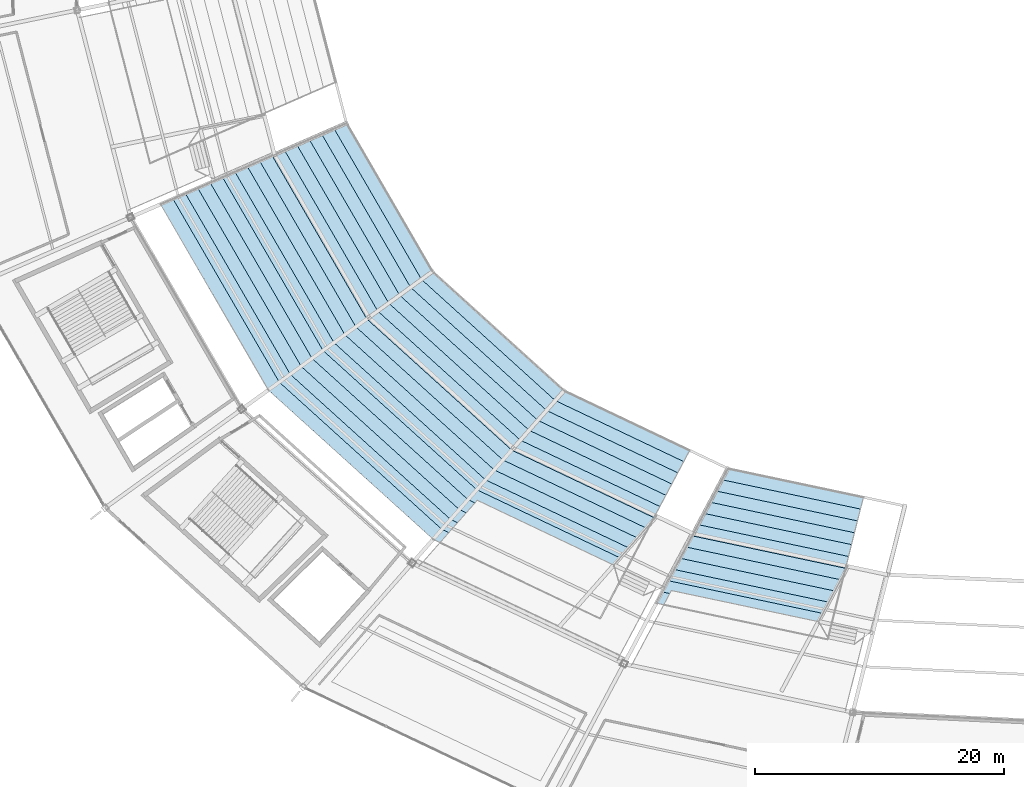
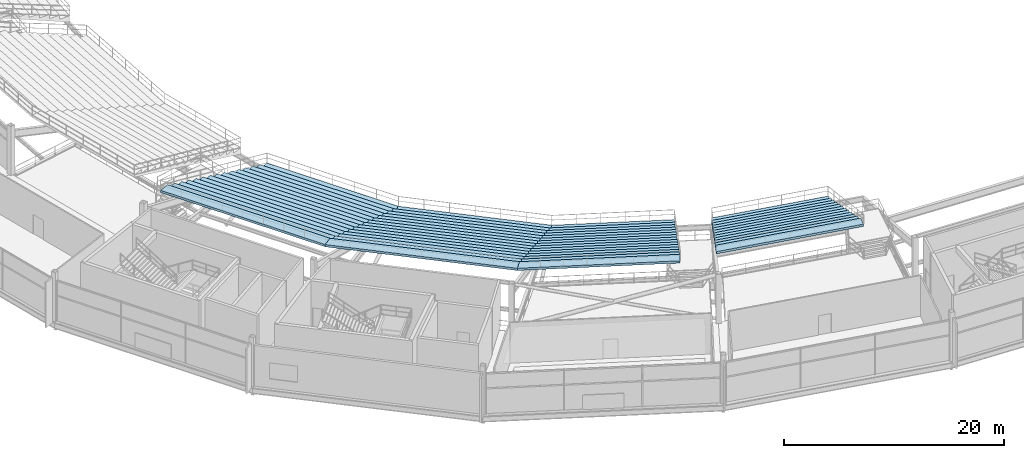
# One storey, part 133 of 186: 4 slabs.
"""IFC4 building model written with IfcOpenShell, lengths in metres."""

from ifc_helpers import new_model, si_unit, direction, frame, origin, place, context, subcontext, project, spatial, polygons, material, layer, layer_set, type_object, element, save


model = new_model("IFC4")

# Units and contexts
model_context = context("Model", 3, precision=1e-05, world=origin(), true_north=direction((0.0, 1.0)))
body_context = subcontext(model_context, "Body", "Model", "MODEL_VIEW")
ifc_project = project(units=[si_unit("LENGTHUNIT", "METRE"), si_unit("AREAUNIT", "SQUARE_METRE"), si_unit("VOLUMEUNIT", "CUBIC_METRE"), si_unit("PLANEANGLEUNIT", "RADIAN"), si_unit("MASSUNIT", "GRAM", prefix="KILO")], contexts=[model_context])

# Site, building, storey
site_placement = place(None, origin())
site = spatial("IfcSite", under=ifc_project, at=site_placement, CompositionType="ELEMENT")
building_placement = place(site_placement, origin())
building = spatial("IfcBuilding", under=site, at=building_placement, Name="Kazemori Nagisa Stadium", CompositionType="ELEMENT")
storey_placement = place(building_placement, frame((0.0, 0.0, 20.39990234375)))
storey = spatial("IfcBuildingStorey", under=building, at=storey_placement, Name="L04", CompositionType="ELEMENT", Elevation=20.39990234375)

# Slabs
ifc_material = material(Name="Concrete C36/45 (Fc36)", Category="concrete")
ifc_layer_1 = layer(ifc_material, 5.5400390625, Name="Concrete C36/45 (Fc36)", Category="concrete")
ifc_layer_set_1 = layer_set([ifc_layer_1], Name="Concrete C36/45 (Fc36)")
slab_type_1 = type_object("IfcSlabType", Name="SeatingTier_ST-UP-12S", PredefinedType="USERDEFINED", material=ifc_layer_set_1)
slab_1_placement = place(storey_placement, frame((0.0, 0.0, -20.39990234375)))
element("IfcSlab", 1, at=slab_1_placement, inside=storey, type_object=slab_type_1, Name="Stand upper tier bay 20", ObjectType="SEATING TIER", PredefinedType="USERDEFINED", context=body_context, shape_type="Tessellation", body=[
    polygons([(105.42431640625, 46.1875, 18.820068359375), (105.42431640625, 46.1875, 19.52001953125), (105.184326171875, 45.235595703125, 19.52001953125), (105.184326171875, 45.235595703125, 19.9599609375), (104.9443359375, 44.28369140625, 19.9599609375), (104.9443359375, 44.28369140625, 20.39990234375), (104.704345703125, 43.33203125, 20.39990234375), (104.704345703125, 43.33203125, 20.83984375), (104.46435546875, 42.380126953125, 20.83984375), (104.46435546875, 42.380126953125, 21.27978515625), (104.224365234375, 41.42822265625, 21.27978515625), (104.224365234375, 41.42822265625, 21.7197265625), (103.984375, 40.4765625, 21.7197265625), (103.984375, 40.4765625, 22.15966796875), (103.744384765625, 39.524658203125, 22.15966796875), (103.744384765625, 39.524658203125, 22.599609375), (103.50439453125, 38.57275390625, 22.599609375), (103.50439453125, 38.57275390625, 23.03955078125), (103.264404296875, 37.620849609375, 23.03955078125), (103.264404296875, 37.620849609375, 23.4794921875), (103.0244140625, 36.6689453125, 23.4794921875), (103.0244140625, 36.6689453125, 23.91943359375), (102.784423828125, 35.71728515625, 23.91943359375), (102.784423828125, 35.71728515625, 24.359375), (102.54443359375, 34.765380859375, 24.359375), (102.54443359375, 34.765380859375, 24.099365234375), (102.784423828125, 35.71728515625, 23.659423828125), (103.0244140625, 36.6689453125, 23.219482421875), (103.264404296875, 37.620849609375, 22.779541015625), (103.50439453125, 38.57275390625, 22.339599609375), (103.744384765625, 39.524658203125, 21.899658203125), (103.984375, 40.4765625, 21.459716796875), (104.224365234375, 41.42822265625, 21.019775390625), (104.46435546875, 42.380126953125, 20.579833984375), (104.704345703125, 43.33203125, 20.139892578125), (104.9443359375, 44.28369140625, 19.699951171875), (105.184326171875, 45.235595703125, 19.260009765625), (94.534912109375, 48.4912109375, 18.820068359375), (94.534912109375, 48.4912109375, 19.52001953125), (94.055419921875, 47.590087890625, 19.52001953125), (94.055419921875, 47.590087890625, 19.9599609375), (93.576171875, 46.688720703125, 19.9599609375), (93.576171875, 46.688720703125, 20.39990234375), (93.0966796875, 45.78759765625, 20.39990234375), (93.0966796875, 45.78759765625, 20.83984375), (92.6171875, 44.886474609375, 20.83984375), (92.6171875, 44.886474609375, 21.27978515625), (92.137939453125, 43.985107421875, 21.27978515625), (92.137939453125, 43.985107421875, 21.7197265625), (91.658447265625, 43.083984375, 21.7197265625), (91.658447265625, 43.083984375, 22.15966796875), (91.178955078125, 42.182861328125, 22.15966796875), (91.178955078125, 42.182861328125, 22.599609375), (90.69970703125, 41.281494140625, 22.599609375), (90.69970703125, 41.281494140625, 23.03955078125), (90.22021484375, 40.38037109375, 23.03955078125), (90.22021484375, 40.38037109375, 23.4794921875), (89.74072265625, 39.479248046875, 23.4794921875), (89.74072265625, 39.479248046875, 23.91943359375), (89.261474609375, 38.577880859375, 23.91943359375), (89.261474609375, 38.577880859375, 24.359375), (88.781982421875, 37.6767578125, 24.359375), (88.781982421875, 37.6767578125, 24.099365234375), (89.261474609375, 38.577880859375, 23.659423828125), (89.74072265625, 39.479248046875, 23.219482421875), (90.22021484375, 40.38037109375, 22.779541015625), (90.69970703125, 41.281494140625, 22.339599609375), (91.178955078125, 42.182861328125, 21.899658203125), (91.658447265625, 43.083984375, 21.459716796875), (92.137939453125, 43.985107421875, 21.019775390625), (92.6171875, 44.886474609375, 20.579833984375), (93.0966796875, 45.78759765625, 20.139892578125), (93.576171875, 46.688720703125, 19.699951171875), (94.055419921875, 47.590087890625, 19.260009765625)], [[[1, 38, 39]], [[1, 39, 2]], [[2, 39, 40]], [[2, 40, 3]], [[3, 40, 41]], [[3, 41, 4]], [[4, 41, 42]], [[4, 42, 5]], [[5, 42, 43]], [[5, 43, 6]], [[6, 43, 44]], [[6, 44, 7]], [[7, 44, 45]], [[7, 45, 8]], [[8, 45, 46]], [[8, 46, 9]], [[9, 46, 47]], [[9, 47, 10]], [[10, 47, 48]], [[10, 48, 11]], [[11, 48, 49]], [[11, 49, 12]], [[12, 49, 50]], [[12, 50, 13]], [[13, 50, 51]], [[13, 51, 14]], [[14, 51, 52]], [[14, 52, 15]], [[15, 52, 53]], [[15, 53, 16]], [[16, 53, 54]], [[16, 54, 17]], [[17, 54, 55]], [[17, 55, 18]], [[18, 55, 56]], [[18, 56, 19]], [[19, 56, 57]], [[19, 57, 20]], [[20, 57, 58]], [[20, 58, 21]], [[21, 58, 59]], [[21, 59, 22]], [[22, 59, 60]], [[22, 60, 23]], [[23, 60, 61]], [[23, 61, 24]], [[24, 61, 62]], [[24, 62, 25]], [[25, 62, 63]], [[25, 63, 26]], [[26, 63, 27]], [[27, 63, 64]], [[27, 64, 28]], [[28, 64, 65]], [[28, 65, 29]], [[29, 65, 66]], [[29, 66, 30]], [[30, 66, 67]], [[30, 67, 31]], [[31, 67, 68]], [[31, 68, 32]], [[32, 68, 69]], [[32, 69, 33]], [[33, 69, 70]], [[33, 70, 34]], [[34, 70, 71]], [[34, 71, 35]], [[35, 71, 72]], [[35, 72, 36]], [[36, 72, 73]], [[36, 73, 37]], [[37, 73, 74]], [[37, 74, 1]], [[1, 74, 38]], [[1, 2, 3]], [[40, 39, 38]], [[1, 3, 37]], [[74, 40, 38]], [[37, 3, 36]], [[73, 40, 74]], [[36, 3, 5]], [[42, 40, 73]], [[3, 4, 5]], [[42, 41, 40]], [[36, 5, 35]], [[72, 42, 73]], [[35, 5, 7]], [[44, 42, 72]], [[5, 6, 7]], [[44, 43, 42]], [[35, 7, 34]], [[71, 44, 72]], [[34, 7, 9]], [[46, 44, 71]], [[7, 8, 9]], [[46, 45, 44]], [[34, 9, 33]], [[70, 46, 71]], [[33, 9, 11]], [[48, 46, 70]], [[9, 10, 11]], [[48, 47, 46]], [[33, 11, 32]], [[69, 48, 70]], [[32, 11, 13]], [[50, 48, 69]], [[11, 12, 13]], [[50, 49, 48]], [[32, 13, 31]], [[68, 50, 69]], [[31, 13, 15]], [[52, 50, 68]], [[13, 14, 15]], [[52, 51, 50]], [[31, 15, 30]], [[67, 52, 68]], [[30, 15, 17]], [[54, 52, 67]], [[15, 16, 17]], [[54, 53, 52]], [[30, 17, 29]], [[66, 54, 67]], [[29, 17, 19]], [[56, 54, 66]], [[17, 18, 19]], [[56, 55, 54]], [[29, 19, 28]], [[65, 56, 66]], [[28, 19, 21]], [[58, 56, 65]], [[19, 20, 21]], [[58, 57, 56]], [[28, 21, 27]], [[64, 58, 65]], [[27, 21, 23]], [[60, 58, 64]], [[21, 22, 23]], [[60, 59, 58]], [[27, 23, 26]], [[63, 60, 64]], [[26, 23, 25]], [[62, 60, 63]], [[23, 24, 25]], [[62, 61, 60]]], closed=True),
])
ifc_layer_2 = layer(ifc_material, 6.860107421875, Name="Concrete C36/45 (Fc36)", Category="concrete")
ifc_layer_set_2 = layer_set([ifc_layer_2], Name="Concrete C36/45 (Fc36)")
slab_type_2 = type_object("IfcSlabType", Name="SeatingTier_ST-UP-15W", PredefinedType="USERDEFINED", material=ifc_layer_set_2)
slab_2_placement = place(storey_placement, frame((0.0, 0.0, -20.39990234375)))
element("IfcSlab", 2, at=slab_2_placement, inside=storey, type_object=slab_type_2, Name="Stand upper tier bay 17", ObjectType="SEATING TIER", PredefinedType="USERDEFINED", context=body_context, shape_type="Tessellation", body=[
    polygons([(70.800537109375, 64.31591796875, 18.820068359375), (70.800537109375, 64.31591796875, 19.52001953125), (69.92138671875, 63.68115234375, 19.52001953125), (69.92138671875, 63.68115234375, 19.9599609375), (69.042236328125, 63.046630859375, 19.9599609375), (69.042236328125, 63.046630859375, 20.39990234375), (68.1630859375, 62.411865234375, 20.39990234375), (68.1630859375, 62.411865234375, 20.83984375), (67.283935546875, 61.77734375, 20.83984375), (67.283935546875, 61.77734375, 21.27978515625), (66.40478515625, 61.142578125, 21.27978515625), (66.40478515625, 61.142578125, 21.7197265625), (65.525634765625, 60.5078125, 21.7197265625), (65.525634765625, 60.5078125, 22.15966796875), (64.646484375, 59.873291015625, 22.15966796875), (64.646484375, 59.873291015625, 22.599609375), (63.767333984375, 59.238525390625, 22.599609375), (63.767333984375, 59.238525390625, 23.03955078125), (62.88818359375, 58.60400390625, 23.03955078125), (62.88818359375, 58.60400390625, 23.4794921875), (62.009033203125, 57.96923828125, 23.4794921875), (62.009033203125, 57.96923828125, 23.91943359375), (61.1298828125, 57.33447265625, 23.91943359375), (61.1298828125, 57.33447265625, 24.359375), (60.250732421875, 56.699951171875, 24.359375), (60.250732421875, 56.699951171875, 24.79931640625), (59.37158203125, 56.065185546875, 24.79931640625), (59.37158203125, 56.065185546875, 25.2392578125), (58.492431640625, 55.4306640625, 25.2392578125), (58.492431640625, 55.4306640625, 25.67919921875), (57.61328125, 54.7958984375, 25.67919921875), (57.61328125, 54.7958984375, 25.419189453125), (58.492431640625, 55.4306640625, 24.979248046875), (59.37158203125, 56.065185546875, 24.539306640625), (60.250732421875, 56.699951171875, 24.099365234375), (61.1298828125, 57.33447265625, 23.659423828125), (62.009033203125, 57.96923828125, 23.219482421875), (62.88818359375, 58.60400390625, 22.779541015625), (63.767333984375, 59.238525390625, 22.339599609375), (64.646484375, 59.873291015625, 21.899658203125), (65.525634765625, 60.5078125, 21.459716796875), (66.40478515625, 61.142578125, 21.019775390625), (67.283935546875, 61.77734375, 20.579833984375), (68.1630859375, 62.411865234375, 20.139892578125), (69.042236328125, 63.046630859375, 19.699951171875), (69.92138671875, 63.68115234375, 19.260009765625), (63.8916015625, 76.2314453125, 18.820068359375), (63.8916015625, 76.2314453125, 19.52001953125), (62.89599609375, 75.79736328125, 19.52001953125), (62.89599609375, 75.79736328125, 19.9599609375), (61.900634765625, 75.363525390625, 19.9599609375), (61.900634765625, 75.363525390625, 20.39990234375), (60.905029296875, 74.929443359375, 20.39990234375), (60.905029296875, 74.929443359375, 20.83984375), (59.909423828125, 74.49560546875, 20.83984375), (59.909423828125, 74.49560546875, 21.27978515625), (58.9140625, 74.0615234375, 21.27978515625), (58.9140625, 74.0615234375, 21.7197265625), (57.91845703125, 73.62744140625, 21.7197265625), (57.91845703125, 73.62744140625, 22.15966796875), (56.9228515625, 73.193603515625, 22.15966796875), (56.9228515625, 73.193603515625, 22.599609375), (55.927490234375, 72.759521484375, 22.599609375), (55.927490234375, 72.759521484375, 23.03955078125), (54.931884765625, 72.32568359375, 23.03955078125), (54.931884765625, 72.32568359375, 23.4794921875), (53.936279296875, 71.8916015625, 23.4794921875), (53.936279296875, 71.8916015625, 23.91943359375), (52.94091796875, 71.45751953125, 23.91943359375), (52.94091796875, 71.45751953125, 24.359375), (51.9453125, 71.023681640625, 24.359375), (51.9453125, 71.023681640625, 24.79931640625), (50.94970703125, 70.589599609375, 24.79931640625), (50.94970703125, 70.589599609375, 25.2392578125), (49.954345703125, 70.15576171875, 25.2392578125), (49.954345703125, 70.15576171875, 25.67919921875), (48.958740234375, 69.7216796875, 25.67919921875), (48.958740234375, 69.7216796875, 25.419189453125), (49.954345703125, 70.15576171875, 24.979248046875), (50.94970703125, 70.589599609375, 24.539306640625), (51.9453125, 71.023681640625, 24.099365234375), (52.94091796875, 71.45751953125, 23.659423828125), (53.936279296875, 71.8916015625, 23.219482421875), (54.931884765625, 72.32568359375, 22.779541015625), (55.927490234375, 72.759521484375, 22.339599609375), (56.9228515625, 73.193603515625, 21.899658203125), (57.91845703125, 73.62744140625, 21.459716796875), (58.9140625, 74.0615234375, 21.019775390625), (59.909423828125, 74.49560546875, 20.579833984375), (60.905029296875, 74.929443359375, 20.139892578125), (61.900634765625, 75.363525390625, 19.699951171875), (62.89599609375, 75.79736328125, 19.260009765625)], [[[1, 47, 48]], [[1, 48, 2]], [[2, 48, 49]], [[2, 49, 3]], [[3, 49, 50]], [[3, 50, 4]], [[4, 50, 51]], [[4, 51, 5]], [[5, 51, 52]], [[5, 52, 6]], [[6, 52, 53]], [[6, 53, 7]], [[7, 53, 54]], [[7, 54, 8]], [[8, 54, 55]], [[8, 55, 9]], [[9, 55, 56]], [[9, 56, 10]], [[10, 56, 57]], [[10, 57, 11]], [[11, 57, 58]], [[11, 58, 12]], [[12, 58, 59]], [[12, 59, 13]], [[13, 59, 60]], [[13, 60, 14]], [[14, 60, 61]], [[14, 61, 15]], [[15, 61, 62]], [[15, 62, 16]], [[16, 62, 63]], [[16, 63, 17]], [[17, 63, 64]], [[17, 64, 18]], [[18, 64, 65]], [[18, 65, 19]], [[19, 65, 66]], [[19, 66, 20]], [[20, 66, 67]], [[20, 67, 21]], [[21, 67, 68]], [[21, 68, 22]], [[22, 68, 69]], [[22, 69, 23]], [[23, 69, 70]], [[23, 70, 24]], [[24, 70, 71]], [[24, 71, 25]], [[25, 71, 72]], [[25, 72, 26]], [[26, 72, 73]], [[26, 73, 27]], [[27, 73, 74]], [[27, 74, 28]], [[28, 74, 75]], [[28, 75, 29]], [[29, 75, 76]], [[29, 76, 30]], [[30, 76, 77]], [[30, 77, 31]], [[31, 77, 78]], [[31, 78, 32]], [[32, 78, 33]], [[33, 78, 79]], [[33, 79, 34]], [[34, 79, 80]], [[34, 80, 35]], [[35, 80, 81]], [[35, 81, 36]], [[36, 81, 82]], [[36, 82, 37]], [[37, 82, 83]], [[37, 83, 38]], [[38, 83, 84]], [[38, 84, 39]], [[39, 84, 85]], [[39, 85, 40]], [[40, 85, 86]], [[40, 86, 41]], [[41, 86, 87]], [[41, 87, 42]], [[42, 87, 88]], [[42, 88, 43]], [[43, 88, 89]], [[43, 89, 44]], [[44, 89, 90]], [[44, 90, 45]], [[45, 90, 91]], [[45, 91, 46]], [[46, 91, 92]], [[46, 92, 1]], [[1, 92, 47]], [[1, 2, 3]], [[49, 48, 47]], [[1, 3, 46]], [[92, 49, 47]], [[46, 3, 45]], [[91, 49, 92]], [[45, 3, 5]], [[51, 49, 91]], [[3, 4, 5]], [[51, 50, 49]], [[45, 5, 44]], [[90, 51, 91]], [[44, 5, 7]], [[53, 51, 90]], [[5, 6, 7]], [[53, 52, 51]], [[44, 7, 43]], [[89, 53, 90]], [[43, 7, 9]], [[55, 53, 89]], [[7, 8, 9]], [[55, 54, 53]], [[43, 9, 42]], [[88, 55, 89]], [[42, 9, 11]], [[57, 55, 88]], [[9, 10, 11]], [[57, 56, 55]], [[42, 11, 41]], [[87, 57, 88]], [[41, 11, 13]], [[59, 57, 87]], [[11, 12, 13]], [[59, 58, 57]], [[41, 13, 40]], [[86, 59, 87]], [[40, 13, 15]], [[61, 59, 86]], [[13, 14, 15]], [[61, 60, 59]], [[40, 15, 39]], [[85, 61, 86]], [[39, 15, 17]], [[63, 61, 85]], [[15, 16, 17]], [[63, 62, 61]], [[39, 17, 38]], [[84, 63, 85]], [[38, 17, 19]], [[65, 63, 84]], [[17, 18, 19]], [[65, 64, 63]], [[38, 19, 37]], [[83, 65, 84]], [[37, 19, 21]], [[67, 65, 83]], [[19, 20, 21]], [[67, 66, 65]], [[37, 21, 36]], [[82, 67, 83]], [[36, 21, 23]], [[69, 67, 82]], [[21, 22, 23]], [[69, 68, 67]], [[36, 23, 35]], [[81, 69, 82]], [[35, 23, 25]], [[71, 69, 81]], [[23, 24, 25]], [[71, 70, 69]], [[35, 25, 34]], [[80, 71, 81]], [[34, 25, 27]], [[73, 71, 80]], [[25, 26, 27]], [[73, 72, 71]], [[34, 27, 33]], [[79, 73, 80]], [[33, 27, 29]], [[75, 73, 79]], [[27, 28, 29]], [[75, 74, 73]], [[33, 29, 32]], [[78, 75, 79]], [[32, 29, 31]], [[77, 75, 78]], [[29, 30, 31]], [[77, 76, 75]]], closed=True),
])
slab_3_placement = place(storey_placement, frame((0.0, 0.0, -20.39990234375)))
element("IfcSlab", 3, at=slab_3_placement, inside=storey, type_object=slab_type_2, Name="Stand upper tier bay 18", ObjectType="SEATING TIER", PredefinedType="USERDEFINED", context=body_context, shape_type="Tessellation", body=[
    polygons([(81.372314453125, 54.745849609375, 18.820068359375), (81.372314453125, 54.745849609375, 19.52001953125), (80.671142578125, 53.949951171875, 19.52001953125), (80.671142578125, 53.949951171875, 19.9599609375), (79.97021484375, 53.154052734375, 19.9599609375), (79.97021484375, 53.154052734375, 20.39990234375), (79.26904296875, 52.358154296875, 20.39990234375), (79.26904296875, 52.358154296875, 20.83984375), (78.56787109375, 51.5625, 20.83984375), (78.56787109375, 51.5625, 21.27978515625), (77.866943359375, 50.7666015625, 21.27978515625), (77.866943359375, 50.7666015625, 21.7197265625), (77.165771484375, 49.970703125, 21.7197265625), (77.165771484375, 49.970703125, 22.15966796875), (76.464599609375, 49.1748046875, 22.15966796875), (76.464599609375, 49.1748046875, 22.599609375), (75.763671875, 48.37890625, 22.599609375), (75.763671875, 48.37890625, 23.03955078125), (75.0625, 47.5830078125, 23.03955078125), (75.0625, 47.5830078125, 23.4794921875), (74.361328125, 46.787109375, 23.4794921875), (74.361328125, 46.787109375, 23.91943359375), (73.660400390625, 45.9912109375, 23.91943359375), (73.660400390625, 45.9912109375, 24.359375), (72.959228515625, 45.195556640625, 24.359375), (72.959228515625, 45.195556640625, 24.79931640625), (72.258056640625, 44.399658203125, 24.79931640625), (72.258056640625, 44.399658203125, 25.2392578125), (71.55712890625, 43.603759765625, 25.2392578125), (71.55712890625, 43.603759765625, 25.67919921875), (70.85595703125, 42.807861328125, 25.67919921875), (70.85595703125, 42.807861328125, 25.419189453125), (71.55712890625, 43.603759765625, 24.979248046875), (72.258056640625, 44.399658203125, 24.539306640625), (72.959228515625, 45.195556640625, 24.099365234375), (73.660400390625, 45.9912109375, 23.659423828125), (74.361328125, 46.787109375, 23.219482421875), (75.0625, 47.5830078125, 22.779541015625), (75.763671875, 48.37890625, 22.339599609375), (76.464599609375, 49.1748046875, 21.899658203125), (77.165771484375, 49.970703125, 21.459716796875), (77.866943359375, 50.7666015625, 21.019775390625), (78.56787109375, 51.5625, 20.579833984375), (79.26904296875, 52.358154296875, 20.139892578125), (79.97021484375, 53.154052734375, 19.699951171875), (80.671142578125, 53.949951171875, 19.260009765625), (70.800537109375, 64.31591796875, 18.820068359375), (70.800537109375, 64.31591796875, 19.52001953125), (69.92138671875, 63.68115234375, 19.52001953125), (69.92138671875, 63.68115234375, 19.9599609375), (69.042236328125, 63.046630859375, 19.9599609375), (69.042236328125, 63.046630859375, 20.39990234375), (68.1630859375, 62.411865234375, 20.39990234375), (68.1630859375, 62.411865234375, 20.83984375), (67.283935546875, 61.77734375, 20.83984375), (67.283935546875, 61.77734375, 21.27978515625), (66.40478515625, 61.142578125, 21.27978515625), (66.40478515625, 61.142578125, 21.7197265625), (65.525634765625, 60.5078125, 21.7197265625), (65.525634765625, 60.5078125, 22.15966796875), (64.646484375, 59.873291015625, 22.15966796875), (64.646484375, 59.873291015625, 22.599609375), (63.767333984375, 59.238525390625, 22.599609375), (63.767333984375, 59.238525390625, 23.03955078125), (62.88818359375, 58.60400390625, 23.03955078125), (62.88818359375, 58.60400390625, 23.4794921875), (62.009033203125, 57.96923828125, 23.4794921875), (62.009033203125, 57.96923828125, 23.91943359375), (61.1298828125, 57.33447265625, 23.91943359375), (61.1298828125, 57.33447265625, 24.359375), (60.250732421875, 56.699951171875, 24.359375), (60.250732421875, 56.699951171875, 24.79931640625), (59.37158203125, 56.065185546875, 24.79931640625), (59.37158203125, 56.065185546875, 25.2392578125), (58.492431640625, 55.4306640625, 25.2392578125), (58.492431640625, 55.4306640625, 25.67919921875), (57.61328125, 54.7958984375, 25.67919921875), (57.61328125, 54.7958984375, 25.419189453125), (58.492431640625, 55.4306640625, 24.979248046875), (59.37158203125, 56.065185546875, 24.539306640625), (60.250732421875, 56.699951171875, 24.099365234375), (61.1298828125, 57.33447265625, 23.659423828125), (62.009033203125, 57.96923828125, 23.219482421875), (62.88818359375, 58.60400390625, 22.779541015625), (63.767333984375, 59.238525390625, 22.339599609375), (64.646484375, 59.873291015625, 21.899658203125), (65.525634765625, 60.5078125, 21.459716796875), (66.40478515625, 61.142578125, 21.019775390625), (67.283935546875, 61.77734375, 20.579833984375), (68.1630859375, 62.411865234375, 20.139892578125), (69.042236328125, 63.046630859375, 19.699951171875), (69.92138671875, 63.68115234375, 19.260009765625)], [[[1, 47, 48]], [[1, 48, 2]], [[2, 48, 49]], [[2, 49, 3]], [[3, 49, 50]], [[3, 50, 4]], [[4, 50, 51]], [[4, 51, 5]], [[5, 51, 52]], [[5, 52, 6]], [[6, 52, 53]], [[6, 53, 7]], [[7, 53, 54]], [[7, 54, 8]], [[8, 54, 55]], [[8, 55, 9]], [[9, 55, 56]], [[9, 56, 10]], [[10, 56, 57]], [[10, 57, 11]], [[11, 57, 58]], [[11, 58, 12]], [[12, 58, 59]], [[12, 59, 13]], [[13, 59, 60]], [[13, 60, 14]], [[14, 60, 61]], [[14, 61, 15]], [[15, 61, 62]], [[15, 62, 16]], [[16, 62, 63]], [[16, 63, 17]], [[17, 63, 64]], [[17, 64, 18]], [[18, 64, 65]], [[18, 65, 19]], [[19, 65, 66]], [[19, 66, 20]], [[20, 66, 67]], [[20, 67, 21]], [[21, 67, 68]], [[21, 68, 22]], [[22, 68, 69]], [[22, 69, 23]], [[23, 69, 70]], [[23, 70, 24]], [[24, 70, 71]], [[24, 71, 25]], [[25, 71, 72]], [[25, 72, 26]], [[26, 72, 73]], [[26, 73, 27]], [[27, 73, 74]], [[27, 74, 28]], [[28, 74, 75]], [[28, 75, 29]], [[29, 75, 76]], [[29, 76, 30]], [[30, 76, 77]], [[30, 77, 31]], [[31, 77, 78]], [[31, 78, 32]], [[32, 78, 33]], [[33, 78, 79]], [[33, 79, 34]], [[34, 79, 80]], [[34, 80, 35]], [[35, 80, 81]], [[35, 81, 36]], [[36, 81, 82]], [[36, 82, 37]], [[37, 82, 83]], [[37, 83, 38]], [[38, 83, 84]], [[38, 84, 39]], [[39, 84, 85]], [[39, 85, 40]], [[40, 85, 86]], [[40, 86, 41]], [[41, 86, 87]], [[41, 87, 42]], [[42, 87, 88]], [[42, 88, 43]], [[43, 88, 89]], [[43, 89, 44]], [[44, 89, 90]], [[44, 90, 45]], [[45, 90, 91]], [[45, 91, 46]], [[46, 91, 92]], [[46, 92, 1]], [[1, 92, 47]], [[1, 2, 3]], [[49, 48, 47]], [[1, 3, 46]], [[92, 49, 47]], [[46, 3, 45]], [[91, 49, 92]], [[45, 3, 5]], [[51, 49, 91]], [[3, 4, 5]], [[51, 50, 49]], [[45, 5, 44]], [[90, 51, 91]], [[44, 5, 7]], [[53, 51, 90]], [[5, 6, 7]], [[53, 52, 51]], [[44, 7, 43]], [[89, 53, 90]], [[43, 7, 9]], [[55, 53, 89]], [[7, 8, 9]], [[55, 54, 53]], [[43, 9, 42]], [[88, 55, 89]], [[42, 9, 11]], [[57, 55, 88]], [[9, 10, 11]], [[57, 56, 55]], [[42, 11, 41]], [[87, 57, 88]], [[41, 11, 13]], [[59, 57, 87]], [[11, 12, 13]], [[59, 58, 57]], [[41, 13, 40]], [[86, 59, 87]], [[40, 13, 15]], [[61, 59, 86]], [[13, 14, 15]], [[61, 60, 59]], [[40, 15, 39]], [[85, 61, 86]], [[39, 15, 17]], [[63, 61, 85]], [[15, 16, 17]], [[63, 62, 61]], [[39, 17, 38]], [[84, 63, 85]], [[38, 17, 19]], [[65, 63, 84]], [[17, 18, 19]], [[65, 64, 63]], [[38, 19, 37]], [[83, 65, 84]], [[37, 19, 21]], [[67, 65, 83]], [[19, 20, 21]], [[67, 66, 65]], [[37, 21, 36]], [[82, 67, 83]], [[36, 21, 23]], [[69, 67, 82]], [[21, 22, 23]], [[69, 68, 67]], [[36, 23, 35]], [[81, 69, 82]], [[35, 23, 25]], [[71, 69, 81]], [[23, 24, 25]], [[71, 70, 69]], [[35, 25, 34]], [[80, 71, 81]], [[34, 25, 27]], [[73, 71, 80]], [[25, 26, 27]], [[73, 72, 71]], [[34, 27, 33]], [[79, 73, 80]], [[33, 27, 29]], [[75, 73, 79]], [[27, 28, 29]], [[75, 74, 73]], [[33, 29, 32]], [[78, 75, 79]], [[32, 29, 31]], [[77, 75, 78]], [[29, 30, 31]], [[77, 76, 75]]], closed=True),
])
slab_4_placement = place(storey_placement, frame((0.0, 0.0, -20.39990234375)))
element("IfcSlab", 4, at=slab_4_placement, inside=storey, type_object=slab_type_2, Name="Stand upper tier bay 19", ObjectType="SEATING TIER", PredefinedType="USERDEFINED", context=body_context, shape_type="Tessellation", body=[
    polygons([(91.4638671875, 49.950439453125, 18.820068359375), (91.4638671875, 49.950439453125, 19.52001953125), (90.984375, 49.04931640625, 19.52001953125), (90.984375, 49.04931640625, 19.9599609375), (90.505126953125, 48.14794921875, 19.9599609375), (90.505126953125, 48.14794921875, 20.39990234375), (90.025634765625, 47.246826171875, 20.39990234375), (90.025634765625, 47.246826171875, 20.83984375), (89.546142578125, 46.345703125, 20.83984375), (89.546142578125, 46.345703125, 21.27978515625), (89.06689453125, 45.444580078125, 21.27978515625), (89.06689453125, 45.444580078125, 21.7197265625), (88.58740234375, 44.543212890625, 21.7197265625), (88.58740234375, 44.543212890625, 22.15966796875), (88.10791015625, 43.64208984375, 22.15966796875), (88.10791015625, 43.64208984375, 22.599609375), (87.628662109375, 42.740966796875, 22.599609375), (87.628662109375, 42.740966796875, 23.03955078125), (87.149169921875, 41.83984375, 23.03955078125), (87.149169921875, 41.83984375, 23.4794921875), (86.669677734375, 40.9384765625, 23.4794921875), (86.669677734375, 40.9384765625, 23.91943359375), (86.1904296875, 40.037353515625, 23.91943359375), (86.1904296875, 40.037353515625, 24.359375), (85.7109375, 39.13623046875, 24.359375), (85.7109375, 39.13623046875, 24.79931640625), (85.2314453125, 38.235107421875, 24.79931640625), (85.2314453125, 38.235107421875, 25.2392578125), (84.752197265625, 37.333740234375, 25.2392578125), (84.752197265625, 37.333740234375, 25.67919921875), (84.272705078125, 36.4326171875, 25.67919921875), (84.272705078125, 36.4326171875, 25.419189453125), (84.752197265625, 37.333740234375, 24.979248046875), (85.2314453125, 38.235107421875, 24.539306640625), (85.7109375, 39.13623046875, 24.099365234375), (86.1904296875, 40.037353515625, 23.659423828125), (86.669677734375, 40.9384765625, 23.219482421875), (87.149169921875, 41.83984375, 22.779541015625), (87.628662109375, 42.740966796875, 22.339599609375), (88.10791015625, 43.64208984375, 21.899658203125), (88.58740234375, 44.543212890625, 21.459716796875), (89.06689453125, 45.444580078125, 21.019775390625), (89.546142578125, 46.345703125, 20.579833984375), (90.025634765625, 47.246826171875, 20.139892578125), (90.505126953125, 48.14794921875, 19.699951171875), (90.984375, 49.04931640625, 19.260009765625), (81.372314453125, 54.745849609375, 18.820068359375), (81.372314453125, 54.745849609375, 19.52001953125), (80.671142578125, 53.949951171875, 19.52001953125), (80.671142578125, 53.949951171875, 19.9599609375), (79.97021484375, 53.154052734375, 19.9599609375), (79.97021484375, 53.154052734375, 20.39990234375), (79.26904296875, 52.358154296875, 20.39990234375), (79.26904296875, 52.358154296875, 20.83984375), (78.56787109375, 51.5625, 20.83984375), (78.56787109375, 51.5625, 21.27978515625), (77.866943359375, 50.7666015625, 21.27978515625), (77.866943359375, 50.7666015625, 21.7197265625), (77.165771484375, 49.970703125, 21.7197265625), (77.165771484375, 49.970703125, 22.15966796875), (76.464599609375, 49.1748046875, 22.15966796875), (76.464599609375, 49.1748046875, 22.599609375), (75.763671875, 48.37890625, 22.599609375), (75.763671875, 48.37890625, 23.03955078125), (75.0625, 47.5830078125, 23.03955078125), (75.0625, 47.5830078125, 23.4794921875), (74.361328125, 46.787109375, 23.4794921875), (74.361328125, 46.787109375, 23.91943359375), (73.660400390625, 45.9912109375, 23.91943359375), (73.660400390625, 45.9912109375, 24.359375), (72.959228515625, 45.195556640625, 24.359375), (72.959228515625, 45.195556640625, 24.79931640625), (72.258056640625, 44.399658203125, 24.79931640625), (72.258056640625, 44.399658203125, 25.2392578125), (71.55712890625, 43.603759765625, 25.2392578125), (71.55712890625, 43.603759765625, 25.67919921875), (70.85595703125, 42.807861328125, 25.67919921875), (70.85595703125, 42.807861328125, 25.419189453125), (71.55712890625, 43.603759765625, 24.979248046875), (72.258056640625, 44.399658203125, 24.539306640625), (72.959228515625, 45.195556640625, 24.099365234375), (73.660400390625, 45.9912109375, 23.659423828125), (74.361328125, 46.787109375, 23.219482421875), (75.0625, 47.5830078125, 22.779541015625), (75.763671875, 48.37890625, 22.339599609375), (76.464599609375, 49.1748046875, 21.899658203125), (77.165771484375, 49.970703125, 21.459716796875), (77.866943359375, 50.7666015625, 21.019775390625), (78.56787109375, 51.5625, 20.579833984375), (79.26904296875, 52.358154296875, 20.139892578125), (79.97021484375, 53.154052734375, 19.699951171875), (80.671142578125, 53.949951171875, 19.260009765625)], [[[1, 47, 48]], [[1, 48, 2]], [[2, 48, 49]], [[2, 49, 3]], [[3, 49, 50]], [[3, 50, 4]], [[4, 50, 51]], [[4, 51, 5]], [[5, 51, 52]], [[5, 52, 6]], [[6, 52, 53]], [[6, 53, 7]], [[7, 53, 54]], [[7, 54, 8]], [[8, 54, 55]], [[8, 55, 9]], [[9, 55, 56]], [[9, 56, 10]], [[10, 56, 57]], [[10, 57, 11]], [[11, 57, 58]], [[11, 58, 12]], [[12, 58, 59]], [[12, 59, 13]], [[13, 59, 60]], [[13, 60, 14]], [[14, 60, 61]], [[14, 61, 15]], [[15, 61, 62]], [[15, 62, 16]], [[16, 62, 63]], [[16, 63, 17]], [[17, 63, 64]], [[17, 64, 18]], [[18, 64, 65]], [[18, 65, 19]], [[19, 65, 66]], [[19, 66, 20]], [[20, 66, 67]], [[20, 67, 21]], [[21, 67, 68]], [[21, 68, 22]], [[22, 68, 69]], [[22, 69, 23]], [[23, 69, 70]], [[23, 70, 24]], [[24, 70, 71]], [[24, 71, 25]], [[25, 71, 72]], [[25, 72, 26]], [[26, 72, 73]], [[26, 73, 27]], [[27, 73, 74]], [[27, 74, 28]], [[28, 74, 75]], [[28, 75, 29]], [[29, 75, 76]], [[29, 76, 30]], [[30, 76, 77]], [[30, 77, 31]], [[31, 77, 78]], [[31, 78, 32]], [[32, 78, 33]], [[33, 78, 79]], [[33, 79, 34]], [[34, 79, 80]], [[34, 80, 35]], [[35, 80, 81]], [[35, 81, 36]], [[36, 81, 82]], [[36, 82, 37]], [[37, 82, 83]], [[37, 83, 38]], [[38, 83, 84]], [[38, 84, 39]], [[39, 84, 85]], [[39, 85, 40]], [[40, 85, 86]], [[40, 86, 41]], [[41, 86, 87]], [[41, 87, 42]], [[42, 87, 88]], [[42, 88, 43]], [[43, 88, 89]], [[43, 89, 44]], [[44, 89, 90]], [[44, 90, 45]], [[45, 90, 91]], [[45, 91, 46]], [[46, 91, 92]], [[46, 92, 1]], [[1, 92, 47]], [[1, 2, 3]], [[49, 48, 47]], [[1, 3, 46]], [[92, 49, 47]], [[46, 3, 45]], [[91, 49, 92]], [[45, 3, 5]], [[51, 49, 91]], [[3, 4, 5]], [[51, 50, 49]], [[45, 5, 44]], [[90, 51, 91]], [[44, 5, 7]], [[53, 51, 90]], [[5, 6, 7]], [[53, 52, 51]], [[44, 7, 43]], [[89, 53, 90]], [[43, 7, 9]], [[55, 53, 89]], [[7, 8, 9]], [[55, 54, 53]], [[43, 9, 42]], [[88, 55, 89]], [[42, 9, 11]], [[57, 55, 88]], [[9, 10, 11]], [[57, 56, 55]], [[42, 11, 41]], [[87, 57, 88]], [[41, 11, 13]], [[59, 57, 87]], [[11, 12, 13]], [[59, 58, 57]], [[41, 13, 40]], [[86, 59, 87]], [[40, 13, 15]], [[61, 59, 86]], [[13, 14, 15]], [[61, 60, 59]], [[40, 15, 39]], [[85, 61, 86]], [[39, 15, 17]], [[63, 61, 85]], [[15, 16, 17]], [[63, 62, 61]], [[39, 17, 38]], [[84, 63, 85]], [[38, 17, 19]], [[65, 63, 84]], [[17, 18, 19]], [[65, 64, 63]], [[38, 19, 37]], [[83, 65, 84]], [[37, 19, 21]], [[67, 65, 83]], [[19, 20, 21]], [[67, 66, 65]], [[37, 21, 36]], [[82, 67, 83]], [[36, 21, 23]], [[69, 67, 82]], [[21, 22, 23]], [[69, 68, 67]], [[36, 23, 35]], [[81, 69, 82]], [[35, 23, 25]], [[71, 69, 81]], [[23, 24, 25]], [[71, 70, 69]], [[35, 25, 34]], [[80, 71, 81]], [[34, 25, 27]], [[73, 71, 80]], [[25, 26, 27]], [[73, 72, 71]], [[34, 27, 33]], [[79, 73, 80]], [[33, 27, 29]], [[75, 73, 79]], [[27, 28, 29]], [[75, 74, 73]], [[33, 29, 32]], [[78, 75, 79]], [[32, 29, 31]], [[77, 75, 78]], [[29, 30, 31]], [[77, 76, 75]]], closed=True),
])

save(model, "model.ifc")
